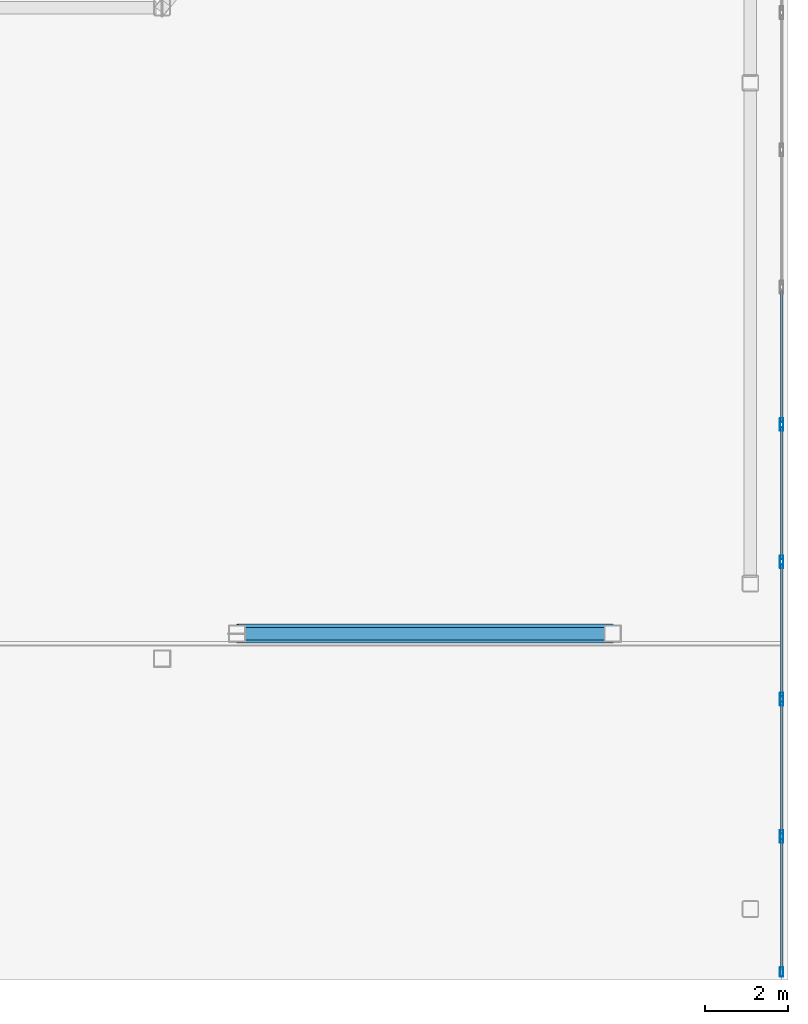
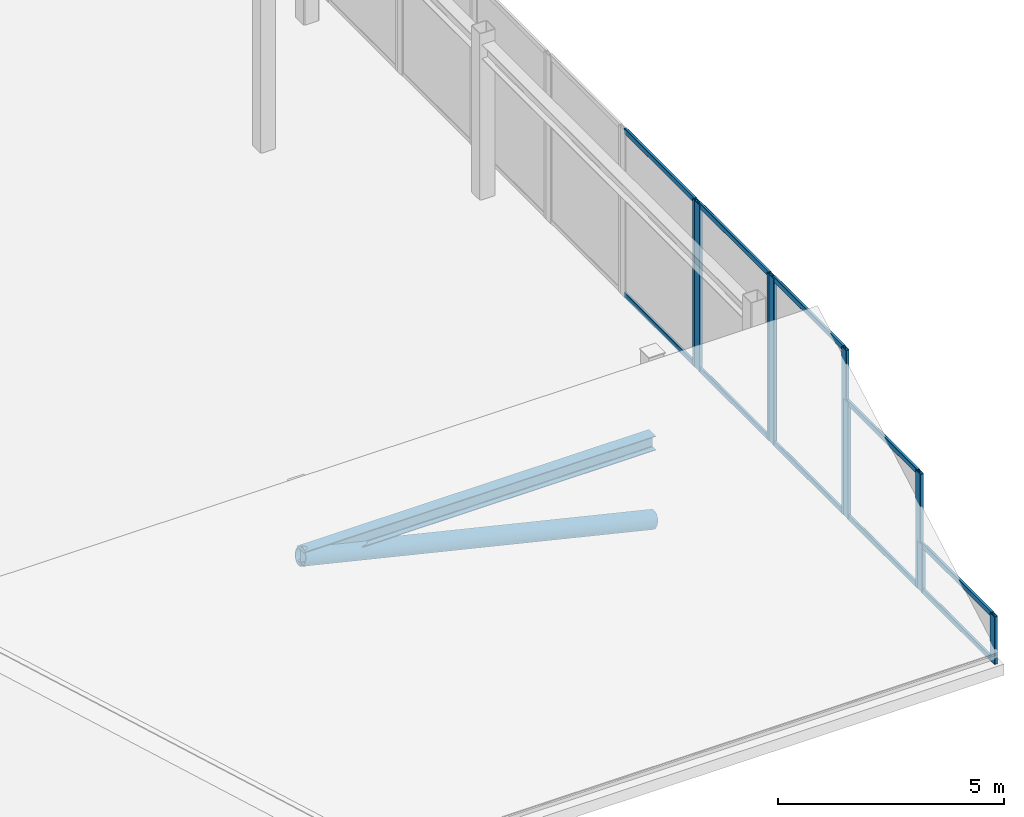
# One storey, part 6 of 15: 20 members, 1 beam, 5 elements without a shape of their own.
"""IFC4 building model written with IfcOpenShell, lengths in metres."""

import ifcopenshell
import ifcopenshell.guid

model = None  # the IFC model being written
_history = None  # IfcOwnerHistory: only IFC2X3 demands one
_inside = {}  # id of a spatial element -> (the spatial element, [elements in it])
_under = {}  # id of a project, library or spatial element -> (it, [spatial elements below it])
_declared = {}  # id of a project -> (the project, [libraries it declares])
_typed = {}  # id of a type object -> (the type object, [elements of that type])
_made_of = {}  # id of a material, layer set ... -> (it, [elements and type objects made of it])


def new_model(schema):
    """Start an empty IFC model of exactly this schema.

    Asked for "IFC4X3", IfcOpenShell would pick the latest addendum, in which some entities
    have other attributes; the version numbers below select the first issue.
    IFC2X3 requires an IfcOwnerHistory on every rooted entity: one is made here for all.
    """
    global model, _history
    if schema == "IFC4X3":
        model = ifcopenshell.file(schema_version=(4, 3, 0, 0))
    else:
        model = ifcopenshell.file(schema=schema)
    _inside.clear()
    _under.clear()
    _declared.clear()
    _typed.clear()
    _made_of.clear()
    _history = None
    if model.schema == "IFC2X3":
        org = make("IfcOrganization", Name="unknown")
        user = make(
            "IfcPersonAndOrganization",
            ThePerson=make("IfcPerson", FamilyName="unknown"),
            TheOrganization=org,
        )
        app = make(
            "IfcApplication",
            ApplicationDeveloper=org,
            Version="unknown",
            ApplicationFullName="unknown",
            ApplicationIdentifier="unknown",
        )
        _history = make(
            "IfcOwnerHistory",
            OwningUser=user,
            OwningApplication=app,
            ChangeAction="ADDED",
            CreationDate=0,
        )
    return model


def make(cls, **values):
    """One entity of the class cls with the attributes given. An attribute that is None is left unset."""
    return model.create_entity(
        cls, **{name: value for name, value in values.items() if value is not None}
    )


def rooted(cls, **values):
    """An entity with a GlobalId (a new one), such as an element, a storey or a relation."""
    return make(cls, GlobalId=ifcopenshell.guid.new(), OwnerHistory=_history, **values)


def si_unit(unit_type, name, prefix=None):
    """IfcSIUnit, for example si_unit("LENGTHUNIT", "METRE", prefix="MILLI")."""
    return make("IfcSIUnit", UnitType=unit_type, Prefix=prefix, Name=name)


def assignment(units):
    """IfcUnitAssignment: the units of a project."""
    return None if units is None else make("IfcUnitAssignment", Units=units)


def point(xyz):
    """IfcCartesianPoint."""
    return None if xyz is None else make("IfcCartesianPoint", Coordinates=xyz)


def direction(xyz):
    """IfcDirection."""
    return None if xyz is None else make("IfcDirection", DirectionRatios=xyz)


def frame(location, z_axis=None, x_axis=None):
    """IfcAxis2Placement3D, a coordinate frame: its origin and axes. An axis left out is left unset."""
    return make(
        "IfcAxis2Placement3D",
        Location=point(location),
        Axis=direction(z_axis),
        RefDirection=direction(x_axis),
    )


def frame_2d(location, x_axis=None):
    """IfcAxis2Placement2D, a coordinate frame in the plane: its origin and x axis."""
    return make(
        "IfcAxis2Placement2D", Location=point(location), RefDirection=direction(x_axis)
    )


def origin():
    """The frame at (0, 0, 0) with its axes left unset."""
    return frame((0.0, 0.0, 0.0))


def origin_2d():
    """The frame at (0, 0) in the plane with its x axis left unset."""
    return frame_2d((0.0, 0.0))


def place(relative_to, where):
    """IfcLocalPlacement: puts the frame where relative to a parent placement (None: the world)."""
    return make(
        "IfcLocalPlacement", PlacementRelTo=relative_to, RelativePlacement=where
    )


def context(
    kind, dimensions, precision=None, world=None, true_north=None, identifier=None
):
    """IfcGeometricRepresentationContext, for example the 3D "Model" context."""
    return make(
        "IfcGeometricRepresentationContext",
        ContextIdentifier=identifier,
        ContextType=kind,
        CoordinateSpaceDimension=dimensions,
        Precision=precision,
        WorldCoordinateSystem=world,
        TrueNorth=true_north,
    )


def subcontext(parent, identifier, kind, view, scale=None):
    """IfcGeometricRepresentationSubContext, for example "Body" below "Model"."""
    return make(
        "IfcGeometricRepresentationSubContext",
        ContextIdentifier=identifier,
        ContextType=kind,
        ParentContext=parent,
        TargetScale=scale,
        TargetView=view,
    )


def project(units=None, contexts=None):
    """IfcProject with its units and contexts."""
    return rooted(
        "IfcProject",
        Name="project",
        RepresentationContexts=contexts,
        UnitsInContext=assignment(units),
    )


def spatial(cls, under=None, at=None, **own):
    """A site, building, storey or space (cls), placed at a placement, below another one or the project."""
    s = rooted(cls, ObjectPlacement=at, **own)
    if under is not None:
        _under.setdefault(under.id(), (under, []))[1].append(s)
    return s


def profile(cls, at=None, kind="AREA", **sizes):
    """A parametric profile (cls). Its sizes go by their IFC names, for example OverallWidth=200.0."""
    return make(cls, ProfileType=kind, Position=at, **sizes)


def hollow_rectangle(**sizes):
    """IfcRectangleHollowProfileDef."""
    return profile("IfcRectangleHollowProfileDef", **sizes)


def hollow_circle(**sizes):
    """IfcCircleHollowProfileDef."""
    return profile("IfcCircleHollowProfileDef", **sizes)


def i_section(**sizes):
    """IfcIShapeProfileDef."""
    return profile("IfcIShapeProfileDef", **sizes)


def extrude(swept, where, along, depth):
    """IfcExtrudedAreaSolid: the profile swept, set in the frame where, extruded along a direction by depth."""
    return make(
        "IfcExtrudedAreaSolid",
        SweptArea=swept,
        Position=where,
        ExtrudedDirection=direction(along),
        Depth=depth,
    )


def shape(context_of_items, identifier, shape_type, items):
    """IfcShapeRepresentation: the items that make up one representation, for example the "Body"."""
    return make(
        "IfcShapeRepresentation",
        ContextOfItems=context_of_items,
        RepresentationIdentifier=identifier,
        RepresentationType=shape_type,
        Items=items,
    )


def material(Name=None, Category=None):
    """IfcMaterial."""
    return make("IfcMaterial", Name=Name, Category=Category)


def layer(
    of_material, thickness, ventilated=None, Name=None, Category=None, Priority=None
):
    """IfcMaterialLayer: one layer of a wall or slab, of a material (None: an air gap)."""
    return make(
        "IfcMaterialLayer",
        Material=of_material,
        LayerThickness=thickness,
        IsVentilated=ventilated,
        Name=Name,
        Category=Category,
        Priority=Priority,
    )


def layer_set(layers, Name=None):
    """IfcMaterialLayerSet."""
    return make("IfcMaterialLayerSet", MaterialLayers=layers, LayerSetName=Name)


def material_profile(
    of_material, cross_section, Name=None, Category=None, Priority=None
):
    """IfcMaterialProfile: a cross section and its material."""
    return make(
        "IfcMaterialProfile",
        Name=Name,
        Material=of_material,
        Profile=cross_section,
        Priority=Priority,
        Category=Category,
    )


def profile_set(profiles, Name=None, composite=None):
    """IfcMaterialProfileSet."""
    return make(
        "IfcMaterialProfileSet",
        Name=Name,
        MaterialProfiles=profiles,
        CompositeProfile=composite,
    )


def made_of(thing, what):
    """Note that an element or type object is made of a material, layer set ...; save() writes the relation."""
    if what is not None:
        _made_of.setdefault(what.id(), (what, []))[1].append(thing)
    return thing


def type_object(cls, material=None, **own):
    """A type object (cls), such as IfcWallType, which elements share."""
    return made_of(rooted(cls, **own), material)


def element(
    cls,
    number,
    at=None,
    inside=None,
    cuts=None,
    type_object=None,
    material=None,
    context=None,
    identifier="Body",
    shape_type=None,
    held_by="IfcProductDefinitionShape",
    body=None,
    shapes=None,
    **own,
):
    """One element of the class cls, such as IfcWall. Its Tag is "e" and its number.

    at: its placement. inside: the storey or other place that contains it. cuts: it is an
    opening in that element (IfcRelVoidsElement). A single representation is given by context,
    identifier, shape_type and body (its items); several are given by shapes. held_by: the class
    of the entity that holds the representations. save() writes the other relations.
    """
    e = rooted(cls, Tag="e%d" % number, ObjectPlacement=at, **own)
    if body is not None:
        shapes = [shape(context, identifier, shape_type, body)]
    if shapes is not None:
        e.Representation = make(held_by, Representations=shapes)
    if inside is not None:
        _inside.setdefault(inside.id(), (inside, []))[1].append(e)
    if cuts is not None:
        rooted(
            "IfcRelVoidsElement", RelatingBuildingElement=cuts, RelatedOpeningElement=e
        )
    if type_object is not None:
        _typed.setdefault(type_object.id(), (type_object, []))[1].append(e)
    return made_of(e, material)


def aggregate(whole, parts):
    """IfcRelAggregates: a whole, such as a stair, and the parts it consists of."""
    return rooted("IfcRelAggregates", RelatingObject=whole, RelatedObjects=parts)


def save(model, path):
    """Write the relations noted so far, then the file.

    IfcRelAggregates (storeys below a building ...), IfcRelContainedInSpatialStructure (elements
    in a storey), IfcRelDefinesByType, IfcRelAssociatesMaterial and IfcRelDeclares: one each for
    every whole, place, type object, material and project.
    """
    for whole, parts in _under.values():
        aggregate(whole, parts)
    for where, things in _inside.values():
        rooted(
            "IfcRelContainedInSpatialStructure",
            RelatedElements=things,
            RelatingStructure=where,
        )
    for kind, things in _typed.values():
        rooted("IfcRelDefinesByType", RelatedObjects=things, RelatingType=kind)
    for what, things in _made_of.values():
        rooted("IfcRelAssociatesMaterial", RelatedObjects=things, RelatingMaterial=what)
    for by, libraries in _declared.values():
        rooted("IfcRelDeclares", RelatingContext=by, RelatedDefinitions=libraries)
    model.write(path)


model = new_model("IFC4")

# Units and contexts
model_context = context("Model", 3, precision=1e-05, world=origin(), true_north=direction((0.0, 1.0)))
body_context = subcontext(model_context, "Body", "Model", "MODEL_VIEW")
ifc_project = project(units=[si_unit("LENGTHUNIT", "METRE"), si_unit("AREAUNIT", "SQUARE_METRE"), si_unit("VOLUMEUNIT", "CUBIC_METRE"), si_unit("PLANEANGLEUNIT", "RADIAN"), si_unit("MASSUNIT", "GRAM", prefix="KILO")], contexts=[model_context])

# Site, building, storey
site_placement = place(None, origin())
site = spatial("IfcSite", under=ifc_project, at=site_placement, CompositionType="ELEMENT")
building_placement = place(site_placement, origin())
building = spatial("IfcBuilding", under=site, at=building_placement, Name="Tarnavaz Court Tower", CompositionType="ELEMENT")
storey_placement = place(building_placement, frame((0.0, 0.0, 295.050048828125)))
storey = spatial("IfcBuildingStorey", under=building, at=storey_placement, Name="C04", CompositionType="ELEMENT", Elevation=295.050048828125)

# Beam
ifc_material_1 = material(Name="Steel S355", Category="steel")
ifc_material_profile_1 = material_profile(ifc_material_1, i_section(OverallWidth=0.300048828125, OverallDepth=0.389892578125, WebThickness=0.010986328125, FlangeThickness=0.01904296875, FilletRadius=0.027099609375, at=origin_2d()), Name="HEA 400")
ifc_profile_set_1 = profile_set([ifc_material_profile_1], Name="Steel S355")
beam_type = type_object("IfcBeamType", Name="BM-CR-IPE300", PredefinedType="USERDEFINED", material=ifc_profile_set_1)
beam_placement = place(storey_placement, frame((18.60009765625, -7.199951171875, 2.5), z_axis=(-1.0, 0.0, 0.0), x_axis=(0.0, -1.0, 0.0)))
element("IfcBeam", 1, at=beam_placement, inside=storey, type_object=beam_type, Name="C04 Crown Frame E Core Tie Beam", ObjectType="CROWN FRAME", PredefinedType="USERDEFINED", context=body_context, shape_type="SweptSolid", body=[
    extrude(i_section(OverallWidth=0.300048828125, OverallDepth=0.389892578125, WebThickness=0.010986328125, FlangeThickness=0.01904296875, FilletRadius=0.027099609375, at=origin_2d()), origin(), (0.0, 0.0, 1.0), 9.0),
])

# Curtain wall, member
ifc_material_2 = material(Name="Anodised Aluminium 6063-T6 and Solar Low-E Glazing", Category="aluminium")
ifc_layer = layer(ifc_material_2, 0.2099609375)
ifc_layer_set = layer_set([ifc_layer], Name="Anodised Aluminium 6063-T6 and Solar Low-E Glazing")
curtain_wall_type = type_object("IfcCurtainWallType", Name="CW-SYS-06", PredefinedType="NOTDEFINED", material=ifc_layer_set)
curtain_wall_1_placement = place(storey_placement, origin())
curtain_wall_1 = element("IfcCurtainWall", 2, at=curtain_wall_1_placement, inside=storey, type_object=curtain_wall_type, Name="C04 Slanted Crown Terracotta Curtain Wall 15", PredefinedType="NOTDEFINED")
ifc_material_3 = material(Name="Anodised Aluminium 6063-T6", Category="aluminium")
ifc_material_profile_2 = material_profile(ifc_material_3, hollow_rectangle(XDim=0.0849609375, YDim=0.219970703125, WallThickness=0.006103515625, InnerFilletRadius=0.006103515625, OuterFilletRadius=0.011962890625, at=origin_2d()), Name="ALU RHS 220X85X6")
ifc_profile_set_2 = profile_set([ifc_material_profile_2], Name="Anodised Aluminium 6063-T6")
member_type_1 = type_object("IfcMemberType", Name="CW-MUL-220", PredefinedType="MULLION", material=ifc_profile_set_2)
member_1_placement = place(storey_placement, frame((22.64990234375, -2.1474609375, 0.0), z_axis=(0.0, 0.0, 1.0), x_axis=(1.0, 0.0, 0.0)))
member_1 = element("IfcMember", 3, at=member_1_placement, type_object=member_type_1, Name="CW mullion 2", PredefinedType="MULLION", context=body_context, shape_type="SweptSolid", body=[
    extrude(hollow_rectangle(XDim=0.0849609375, YDim=0.219970703125, WallThickness=0.006103515625, InnerFilletRadius=0.006103515625, OuterFilletRadius=0.011962890625, at=origin_2d()), origin(), (0.0, 0.0, 1.0), 4.5),
])

# Curtain wall, members
curtain_wall_2_placement = place(storey_placement, origin())
curtain_wall_2 = element("IfcCurtainWall", 4, at=curtain_wall_2_placement, inside=storey, type_object=curtain_wall_type, Name="C04 Slanted Crown Terracotta Curtain Wall 16", PredefinedType="NOTDEFINED")
member_2_placement = place(storey_placement, frame((22.64990234375, -2.232421875, 0.0), z_axis=(0.0, 0.0, 1.0), x_axis=(1.0, 0.0, 0.0)))
member_2 = element("IfcMember", 5, at=member_2_placement, type_object=member_type_1, Name="CW mullion 1", PredefinedType="MULLION", context=body_context, shape_type="SweptSolid", body=[
    extrude(hollow_rectangle(XDim=0.0849609375, YDim=0.219970703125, WallThickness=0.006103515625, InnerFilletRadius=0.006103515625, OuterFilletRadius=0.011962890625, at=origin_2d()), origin(), (0.0, 0.0, 1.0), 4.5),
])
member_3_placement = place(storey_placement, frame((22.64990234375, -5.4375, 0.0), z_axis=(0.0, 0.0, 1.0), x_axis=(1.0, 0.0, 0.0)))
member_3 = element("IfcMember", 6, at=member_3_placement, type_object=member_type_1, Name="CW mullion 2", PredefinedType="MULLION", context=body_context, shape_type="SweptSolid", body=[
    extrude(hollow_rectangle(XDim=0.0849609375, YDim=0.219970703125, WallThickness=0.006103515625, InnerFilletRadius=0.006103515625, OuterFilletRadius=0.011962890625, at=origin_2d()), origin(), (0.0, 0.0, 1.0), 4.5),
])

curtain_wall_3_placement = place(storey_placement, origin())
curtain_wall_3 = element("IfcCurtainWall", 7, at=curtain_wall_3_placement, inside=storey, type_object=curtain_wall_type, Name="C04 Slanted Crown Terracotta Curtain Wall 17", PredefinedType="NOTDEFINED")
member_4_placement = place(storey_placement, frame((22.64990234375, -5.5224609375, 0.0), z_axis=(0.0, 0.0, 1.0), x_axis=(1.0, 0.0, 0.0)))
member_4 = element("IfcMember", 8, at=member_4_placement, type_object=member_type_1, Name="CW mullion 1", PredefinedType="MULLION", context=body_context, shape_type="SweptSolid", body=[
    extrude(hollow_rectangle(XDim=0.0849609375, YDim=0.219970703125, WallThickness=0.006103515625, InnerFilletRadius=0.006103515625, OuterFilletRadius=0.011962890625, at=origin_2d()), origin(), (0.0, 0.0, 1.0), 4.5),
])
member_5_placement = place(storey_placement, frame((22.64990234375, -8.7275390625, 0.0), z_axis=(0.0, 0.0, 1.0), x_axis=(1.0, 0.0, 0.0)))
member_5 = element("IfcMember", 9, at=member_5_placement, type_object=member_type_1, Name="CW mullion 2", PredefinedType="MULLION", context=body_context, shape_type="SweptSolid", body=[
    extrude(hollow_rectangle(XDim=0.0849609375, YDim=0.219970703125, WallThickness=0.006103515625, InnerFilletRadius=0.006103515625, OuterFilletRadius=0.011962890625, at=origin_2d()), origin(), (0.0, 0.0, 1.0), 4.5),
])

curtain_wall_4_placement = place(storey_placement, origin())
curtain_wall_4 = element("IfcCurtainWall", 10, at=curtain_wall_4_placement, inside=storey, type_object=curtain_wall_type, Name="C04 Slanted Crown Terracotta Curtain Wall 18", PredefinedType="NOTDEFINED")
member_6_placement = place(storey_placement, frame((22.64990234375, -8.8125, 0.0), z_axis=(0.0, 0.0, 1.0), x_axis=(1.0, 0.0, 0.0)))
member_6 = element("IfcMember", 11, at=member_6_placement, type_object=member_type_1, Name="CW mullion 1", PredefinedType="MULLION", context=body_context, shape_type="SweptSolid", body=[
    extrude(hollow_rectangle(XDim=0.0849609375, YDim=0.219970703125, WallThickness=0.006103515625, InnerFilletRadius=0.006103515625, OuterFilletRadius=0.011962890625, at=origin_2d()), origin(), (0.0, 0.0, 1.0), 3.14453125),
])
member_7_placement = place(storey_placement, frame((22.64990234375, -12.017578125, 0.0), z_axis=(0.0, 0.0, 1.0), x_axis=(1.0, 0.0, 0.0)))
member_7 = element("IfcMember", 12, at=member_7_placement, type_object=member_type_1, Name="CW mullion 2", PredefinedType="MULLION", context=body_context, shape_type="SweptSolid", body=[
    extrude(hollow_rectangle(XDim=0.0849609375, YDim=0.219970703125, WallThickness=0.006103515625, InnerFilletRadius=0.006103515625, OuterFilletRadius=0.011962890625, at=origin_2d()), origin(), (0.0, 0.0, 1.0), 3.14453125),
])

curtain_wall_5_placement = place(storey_placement, origin())
curtain_wall_5 = element("IfcCurtainWall", 13, at=curtain_wall_5_placement, inside=storey, type_object=curtain_wall_type, Name="C04 Slanted Crown Terracotta Curtain Wall 19", PredefinedType="NOTDEFINED")
member_8_placement = place(storey_placement, frame((22.64990234375, -12.1025390625, 0.0), z_axis=(0.0, 0.0, 1.0), x_axis=(1.0, 0.0, 0.0)))
member_8 = element("IfcMember", 14, at=member_8_placement, type_object=member_type_1, Name="CW mullion 1", PredefinedType="MULLION", context=body_context, shape_type="SweptSolid", body=[
    extrude(hollow_rectangle(XDim=0.0849609375, YDim=0.219970703125, WallThickness=0.006103515625, InnerFilletRadius=0.006103515625, OuterFilletRadius=0.011962890625, at=origin_2d()), origin(), (0.0, 0.0, 1.0), 1.283935546875),
])
member_9_placement = place(storey_placement, frame((22.64990234375, -15.3076171875, 0.0), z_axis=(0.0, 0.0, 1.0), x_axis=(1.0, 0.0, 0.0)))
member_9 = element("IfcMember", 15, at=member_9_placement, type_object=member_type_1, Name="CW mullion 2", PredefinedType="MULLION", context=body_context, shape_type="SweptSolid", body=[
    extrude(hollow_rectangle(XDim=0.0849609375, YDim=0.219970703125, WallThickness=0.006103515625, InnerFilletRadius=0.006103515625, OuterFilletRadius=0.011962890625, at=origin_2d()), origin(), (0.0, 0.0, 1.0), 1.283935546875),
])

# Member
ifc_material_profile_3 = material_profile(ifc_material_3, hollow_rectangle(XDim=0.06494140625, YDim=0.139892578125, WallThickness=0.00390625, InnerFilletRadius=0.00390625, OuterFilletRadius=0.008056640625, at=origin_2d()), Name="ALU RHS 140X65X4")
ifc_profile_set_3 = profile_set([ifc_material_profile_3], Name="Anodised Aluminium 6063-T6")
member_type_2 = type_object("IfcMemberType", Name="CW-TRN-140", PredefinedType="USERDEFINED", material=ifc_profile_set_3)
member_10_placement = place(storey_placement, frame((22.64990234375, 1.014892578125, 0.032470703125), z_axis=(0.0, -1.0, 0.0), x_axis=(1.0, 0.0, 0.0)))
member_10 = element("IfcMember", 16, at=member_10_placement, type_object=member_type_2, Name="CW transom 1.1", ObjectType="TRANSOM", PredefinedType="USERDEFINED", context=body_context, shape_type="SweptSolid", body=[
    extrude(hollow_rectangle(XDim=0.06494140625, YDim=0.139892578125, WallThickness=0.00390625, InnerFilletRadius=0.00390625, OuterFilletRadius=0.008056640625, at=origin_2d()), origin(), (0.0, 0.0, 1.0), 3.119873046875),
])

member_11_placement = place(storey_placement, frame((22.64990234375, 1.014892578125, 4.467529296875), z_axis=(0.0, -1.0, 0.0), x_axis=(1.0, 0.0, 0.0)))
member_11 = element("IfcMember", 17, at=member_11_placement, type_object=member_type_2, Name="CW transom 1.2", ObjectType="TRANSOM", PredefinedType="USERDEFINED", context=body_context, shape_type="SweptSolid", body=[
    extrude(hollow_rectangle(XDim=0.06494140625, YDim=0.139892578125, WallThickness=0.00390625, InnerFilletRadius=0.00390625, OuterFilletRadius=0.008056640625, at=origin_2d()), origin(), (0.0, 0.0, 1.0), 3.119873046875),
])

aggregate(curtain_wall_1, [member_1, member_10, member_11])

member_12_placement = place(storey_placement, frame((22.64990234375, -2.27490234375, 0.032470703125), z_axis=(0.0, -1.0, 0.0), x_axis=(1.0, 0.0, 0.0)))
member_12 = element("IfcMember", 18, at=member_12_placement, type_object=member_type_2, Name="CW transom 1.1", ObjectType="TRANSOM", PredefinedType="USERDEFINED", context=body_context, shape_type="SweptSolid", body=[
    extrude(hollow_rectangle(XDim=0.06494140625, YDim=0.139892578125, WallThickness=0.00390625, InnerFilletRadius=0.00390625, OuterFilletRadius=0.008056640625, at=origin_2d()), origin(), (0.0, 0.0, 1.0), 3.1201171875),
])

member_13_placement = place(storey_placement, frame((22.64990234375, -2.27490234375, 4.467529296875), z_axis=(0.0, -1.0, 0.0), x_axis=(1.0, 0.0, 0.0)))
member_13 = element("IfcMember", 19, at=member_13_placement, type_object=member_type_2, Name="CW transom 1.2", ObjectType="TRANSOM", PredefinedType="USERDEFINED", context=body_context, shape_type="SweptSolid", body=[
    extrude(hollow_rectangle(XDim=0.06494140625, YDim=0.139892578125, WallThickness=0.00390625, InnerFilletRadius=0.00390625, OuterFilletRadius=0.008056640625, at=origin_2d()), origin(), (0.0, 0.0, 1.0), 3.1201171875),
])

aggregate(curtain_wall_2, [member_2, member_3, member_12, member_13])

member_14_placement = place(storey_placement, frame((22.64990234375, -5.56494140625, 0.032470703125), z_axis=(0.0, -1.0, 0.0), x_axis=(1.0, 0.0, 0.0)))
member_14 = element("IfcMember", 20, at=member_14_placement, type_object=member_type_2, Name="CW transom 1.1", ObjectType="TRANSOM", PredefinedType="USERDEFINED", context=body_context, shape_type="SweptSolid", body=[
    extrude(hollow_rectangle(XDim=0.06494140625, YDim=0.139892578125, WallThickness=0.00390625, InnerFilletRadius=0.00390625, OuterFilletRadius=0.008056640625, at=origin_2d()), origin(), (0.0, 0.0, 1.0), 3.1201171875),
])

member_15_placement = place(storey_placement, frame((22.64990234375, -5.56494140625, 4.467529296875), z_axis=(0.0, -1.0, 0.0), x_axis=(1.0, 0.0, 0.0)))
member_15 = element("IfcMember", 21, at=member_15_placement, type_object=member_type_2, Name="CW transom 1.2", ObjectType="TRANSOM", PredefinedType="USERDEFINED", context=body_context, shape_type="SweptSolid", body=[
    extrude(hollow_rectangle(XDim=0.06494140625, YDim=0.139892578125, WallThickness=0.00390625, InnerFilletRadius=0.00390625, OuterFilletRadius=0.008056640625, at=origin_2d()), origin(), (0.0, 0.0, 1.0), 3.1201171875),
])

aggregate(curtain_wall_3, [member_4, member_5, member_14, member_15])

member_16_placement = place(storey_placement, frame((22.64990234375, -8.85498046875, 0.032470703125), z_axis=(0.0, -1.0, 0.0), x_axis=(1.0, 0.0, 0.0)))
member_16 = element("IfcMember", 22, at=member_16_placement, type_object=member_type_2, Name="CW transom 1.1", ObjectType="TRANSOM", PredefinedType="USERDEFINED", context=body_context, shape_type="SweptSolid", body=[
    extrude(hollow_rectangle(XDim=0.06494140625, YDim=0.139892578125, WallThickness=0.00390625, InnerFilletRadius=0.00390625, OuterFilletRadius=0.008056640625, at=origin_2d()), origin(), (0.0, 0.0, 1.0), 3.1201171875),
])

member_17_placement = place(storey_placement, frame((22.64990234375, -8.85498046875, 3.112060546875), z_axis=(0.0, -1.0, 0.0), x_axis=(1.0, 0.0, 0.0)))
member_17 = element("IfcMember", 23, at=member_17_placement, type_object=member_type_2, Name="CW transom 1.2", ObjectType="TRANSOM", PredefinedType="USERDEFINED", context=body_context, shape_type="SweptSolid", body=[
    extrude(hollow_rectangle(XDim=0.06494140625, YDim=0.139892578125, WallThickness=0.00390625, InnerFilletRadius=0.00390625, OuterFilletRadius=0.008056640625, at=origin_2d()), origin(), (0.0, 0.0, 1.0), 3.1201171875),
])

aggregate(curtain_wall_4, [member_6, member_7, member_16, member_17])

member_18_placement = place(storey_placement, frame((22.64990234375, -12.14501953125, 0.032470703125), z_axis=(0.0, -1.0, 0.0), x_axis=(1.0, 0.0, 0.0)))
member_18 = element("IfcMember", 24, at=member_18_placement, type_object=member_type_2, Name="CW transom 1.1", ObjectType="TRANSOM", PredefinedType="USERDEFINED", context=body_context, shape_type="SweptSolid", body=[
    extrude(hollow_rectangle(XDim=0.06494140625, YDim=0.139892578125, WallThickness=0.00390625, InnerFilletRadius=0.00390625, OuterFilletRadius=0.008056640625, at=origin_2d()), origin(), (0.0, 0.0, 1.0), 3.119873046875),
])

member_19_placement = place(storey_placement, frame((22.64990234375, -12.14501953125, 1.25146484375), z_axis=(0.0, -1.0, 0.0), x_axis=(1.0, 0.0, 0.0)))
member_19 = element("IfcMember", 25, at=member_19_placement, type_object=member_type_2, Name="CW transom 1.2", ObjectType="TRANSOM", PredefinedType="USERDEFINED", context=body_context, shape_type="SweptSolid", body=[
    extrude(hollow_rectangle(XDim=0.06494140625, YDim=0.139892578125, WallThickness=0.00390625, InnerFilletRadius=0.00390625, OuterFilletRadius=0.008056640625, at=origin_2d()), origin(), (0.0, 0.0, 1.0), 3.119873046875),
])

aggregate(curtain_wall_5, [member_8, member_9, member_18, member_19])

ifc_material_profile_4 = material_profile(ifc_material_1, hollow_circle(Radius=0.228515625, WallThickness=0.02001953125, at=origin_2d()), Name="CHS 457X20")
ifc_profile_set_4 = profile_set([ifc_material_profile_4], Name="Steel S355")
member_type_3 = type_object("IfcMemberType", Name="MB-CR-CHS273", PredefinedType="USERDEFINED", material=ifc_profile_set_4)
member_20_placement = place(storey_placement, frame((18.60009765625, -7.199951171875, 0.349853515625), z_axis=(-0.972628429945, 0.0, 0.232365955472), x_axis=(0.0, -1.0, 0.0)))
element("IfcMember", 26, at=member_20_placement, inside=storey, type_object=member_type_3, Name="C04 Crown Frame E Wind Brace", ObjectType="CROWN FRAME", PredefinedType="USERDEFINED", context=body_context, shape_type="SweptSolid", body=[
    extrude(hollow_circle(Radius=0.228515625, WallThickness=0.02001953125, at=origin_2d()), origin(), (0.0, 0.0, 1.0), 9.253173828125),
])

save(model, "model.ifc")
